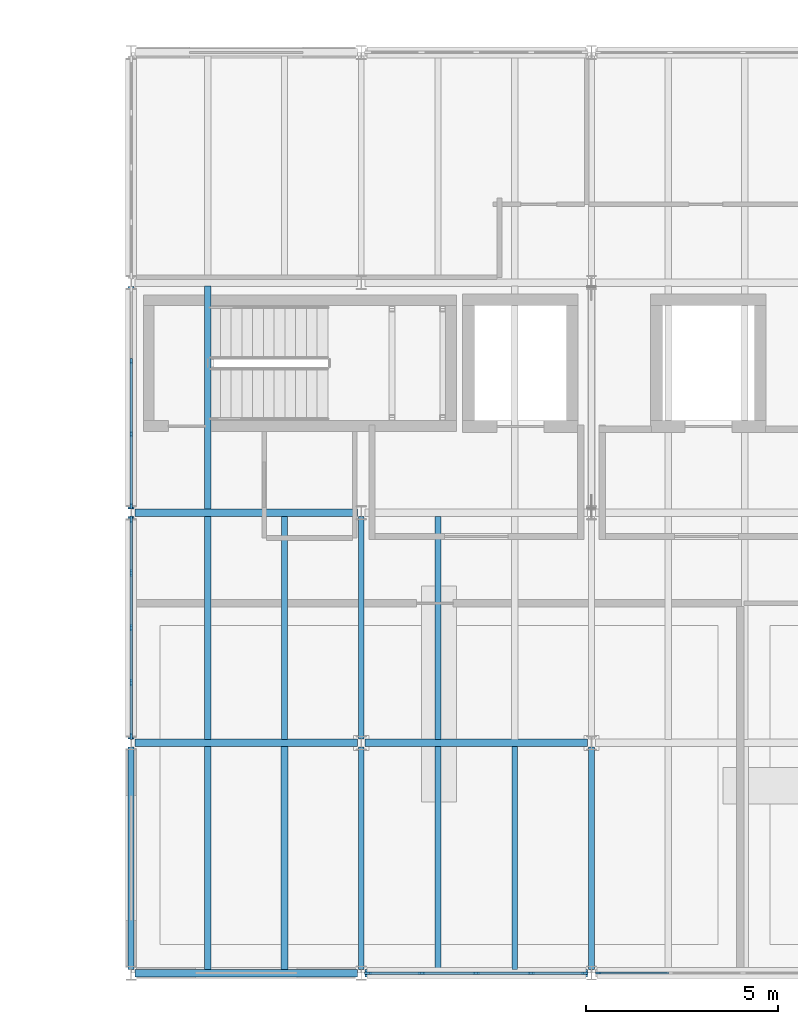
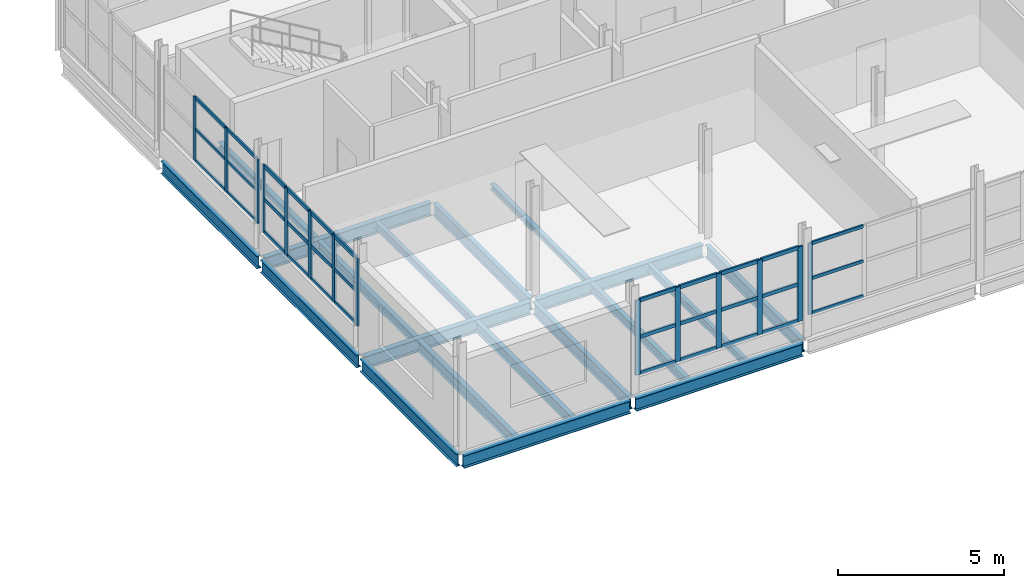
# One storey, part 6 of 23: 47 members, 19 beams, 4 elements without a shape of their own.
"""IFC4 building model written with IfcOpenShell, lengths in metres."""

from ifc_helpers import new_model, si_unit, direction, frame, origin, origin_2d, place, context, subcontext, project, spatial, rectangle, i_section, extrude, material, material_profile, profile_set, type_object, element, aggregate, save


model = new_model("IFC4")

# Units and contexts
model_context = context("Model", 3, precision=1e-05, world=origin(), true_north=direction((0.0, 1.0)))
body_context = subcontext(model_context, "Body", "Model", "MODEL_VIEW")
ifc_project = project(units=[si_unit("LENGTHUNIT", "METRE"), si_unit("AREAUNIT", "SQUARE_METRE"), si_unit("VOLUMEUNIT", "CUBIC_METRE"), si_unit("PLANEANGLEUNIT", "RADIAN"), si_unit("MASSUNIT", "GRAM", prefix="KILO")], contexts=[model_context])

# Site, building, storey
site_placement = place(None, origin())
site = spatial("IfcSite", under=ifc_project, at=site_placement, CompositionType="ELEMENT")
building_placement = place(site_placement, origin())
building = spatial("IfcBuilding", under=site, at=building_placement, Name="Siltcreek Boulevard Central Fire Station", CompositionType="ELEMENT")
storey_placement = place(building_placement, frame((0.0, 0.0, 14.0)))
storey = spatial("IfcBuildingStorey", under=building, at=storey_placement, Name="L04", CompositionType="ELEMENT", Elevation=14.0)

# Beams
ifc_material_1 = material(Name="Structural steel ASTM A992 Gr50", Category="steel")
ifc_material_profile_1 = material_profile(ifc_material_1, i_section(OverallWidth=0.154052734375, OverallDepth=0.458984375, WebThickness=0.009033203125, FlangeThickness=0.015380859375, at=origin_2d()), Name="W460X68")
ifc_profile_set_1 = profile_set([ifc_material_profile_1], Name="Structural steel ASTM A992 Gr50")
beam_type_1 = type_object("IfcBeamType", Name="BM_W460X68", PredefinedType="BEAM", material=ifc_profile_set_1)
for number, where, z_axis, x_axis, name in (
    (1, (124.199951171875, 88.300048828125, -0.489501953125), (0.0, 1.0, 0.0), (-1.0, 0.0, 0.0), "L04 primary steel girder GY-0568"),
    (2, (124.199951171875, 94.300048828125, -0.489501953125), (0.0, 1.0, 0.0), (-1.0, 0.0, 0.0), "L04 primary steel girder GY-0569"),
    (3, (124.199951171875, 100.300048828125, -0.489501953125), (0.0, 1.0, 0.0), (-1.0, 0.0, 0.0), "L04 primary steel girder GY-0570"),
    (4, (130.199951171875, 88.300048828125, -0.489501953125), (0.0, 1.0, 0.0), (-1.0, 0.0, 0.0), "L04 primary steel girder GY-0572"),
    (5, (130.199951171875, 94.300048828125, -0.489501953125), (0.0, 1.0, 0.0), (-1.0, 0.0, 0.0), "L04 primary steel girder GY-0573"),
    (6, (136.199951171875, 88.300048828125, -0.489501953125), (0.0, 1.0, 0.0), (-1.0, 0.0, 0.0), "L04 primary steel girder GY-0575"),
):
    element("IfcBeam", number, at=place(storey_placement, frame(where, z_axis=z_axis, x_axis=x_axis)), inside=storey, type_object=beam_type_1, Name=name, PredefinedType="BEAM", context=body_context, shape_type="SweptSolid", body=[
        extrude(i_section(OverallWidth=0.154052734375, OverallDepth=0.458984375, WebThickness=0.009033203125, FlangeThickness=0.015380859375, at=origin_2d()), origin(), (0.0, 0.0, 1.0), 5.800048828125),
    ])
ifc_material_profile_2 = material_profile(ifc_material_1, i_section(OverallWidth=0.19189453125, OverallDepth=0.462890625, WebThickness=0.010498046875, FlangeThickness=0.017578125, at=origin_2d()), Name="W460X89")
ifc_profile_set_2 = profile_set([ifc_material_profile_2], Name="Structural steel ASTM A992 Gr50")
beam_type_2 = type_object("IfcBeamType", Name="BM_W460X89", PredefinedType="BEAM", material=ifc_profile_set_2)
for number, where, z_axis, x_axis, name in (
    (7, (124.300048828125, 88.199951171875, -0.491455078125), (1.0, 0.0, 0.0), (0.0, 1.0, 0.0), "L04 primary steel girder GX-0538"),
    (8, (130.300048828125, 88.199951171875, -0.491455078125), (1.0, 0.0, 0.0), (0.0, 1.0, 0.0), "L04 primary steel girder GX-0539"),
    (9, (124.300048828125, 94.199951171875, -0.491455078125), (1.0, 0.0, 0.0), (0.0, 1.0, 0.0), "L04 primary steel girder GX-0544"),
    (10, (130.300048828125, 94.199951171875, -0.491455078125), (1.0, 0.0, 0.0), (0.0, 1.0, 0.0), "L04 primary steel girder GX-0545"),
    (11, (124.300048828125, 100.199951171875, -0.491455078125), (1.0, 0.0, 0.0), (0.0, 1.0, 0.0), "L04 primary steel girder GX-0550"),
):
    element("IfcBeam", number, at=place(storey_placement, frame(where, z_axis=z_axis, x_axis=x_axis)), inside=storey, type_object=beam_type_2, Name=name, PredefinedType="BEAM", context=body_context, shape_type="SweptSolid", body=[
        extrude(i_section(OverallWidth=0.19189453125, OverallDepth=0.462890625, WebThickness=0.010498046875, FlangeThickness=0.017578125, at=origin_2d()), origin(), (0.0, 0.0, 1.0), 5.800048828125),
    ])

# Curtain wall, member
ifc_material_2 = material(Name="Anodized aluminum and low-E insulated glazing", Category="aluminium")
curtain_wall_type_1 = type_object("IfcCurtainWallType", Name="CW_SYS_16", PredefinedType="USERDEFINED", material=ifc_material_2)
curtain_wall_1_placement = place(storey_placement, origin())
curtain_wall_1 = element("IfcCurtainWall", 12, at=curtain_wall_1_placement, inside=storey, type_object=curtain_wall_type_1, Name="L04 V5 unitised curtain wall CW-165", ObjectType="CURTAIN WALL", PredefinedType="USERDEFINED")
ifc_material_3 = material(Name="Anodized 6063-T6 aluminum framing", Category="aluminium")
ifc_material_profile_3 = material_profile(ifc_material_3, rectangle(XDim=0.06005859375, YDim=0.14990234375, at=origin_2d()), Name="MULL60X150")
ifc_profile_set_3 = profile_set([ifc_material_profile_3], Name="Anodized 6063-T6 aluminum framing")
member_type_1 = type_object("IfcMemberType", Name="CWM_60X150", PredefinedType="MULLION", material=ifc_profile_set_3)
member_1_placement = place(storey_placement, frame((136.375, 88.199951171875, 0.679931640625), z_axis=(0.0, 0.0, 1.0), x_axis=(0.0, 1.0, 0.0)))
member_1 = element("IfcMember", 13, at=member_1_placement, type_object=member_type_1, Name="CW-165 mullion 1", PredefinedType="MULLION", context=body_context, shape_type="SweptSolid", body=[
    extrude(rectangle(XDim=0.06005859375, YDim=0.14990234375, at=origin_2d()), origin(), (0.0, 0.0, 1.0), 2.619140625),
])

# Curtain wall, members
curtain_wall_type_2 = type_object("IfcCurtainWallType", Name="CW_SYS_24", PredefinedType="USERDEFINED", material=ifc_material_2)
curtain_wall_2_placement = place(storey_placement, origin())
curtain_wall_2 = element("IfcCurtainWall", 14, at=curtain_wall_2_placement, inside=storey, type_object=curtain_wall_type_2, Name="L04 V5 unitised curtain wall CW-173", ObjectType="CURTAIN WALL", PredefinedType="USERDEFINED")
member_2_placement = place(storey_placement, frame((124.199951171875, 104.151611328125, 0.919921875), z_axis=(0.0, 0.0, 1.0), x_axis=(1.0, 0.0, 0.0)))
member_2 = element("IfcMember", 15, at=member_2_placement, type_object=member_type_1, Name="CW-173 mullion 2", PredefinedType="MULLION", context=body_context, shape_type="SweptSolid", body=[
    extrude(rectangle(XDim=0.06005859375, YDim=0.14990234375, at=origin_2d()), origin(), (0.0, 0.0, 1.0), 2.35302734375),
])
member_3_placement = place(storey_placement, frame((124.199951171875, 102.248291015625, 0.919921875), z_axis=(0.0, 0.0, 1.0), x_axis=(1.0, 0.0, 0.0)))
member_3 = element("IfcMember", 16, at=member_3_placement, type_object=member_type_1, Name="CW-173 mullion 3", PredefinedType="MULLION", context=body_context, shape_type="SweptSolid", body=[
    extrude(rectangle(XDim=0.06005859375, YDim=0.14990234375, at=origin_2d()), origin(), (0.0, 0.0, 1.0), 2.35302734375),
])
member_4_placement = place(storey_placement, frame((124.199951171875, 100.375, 0.919921875), z_axis=(0.0, 0.0, 1.0), x_axis=(1.0, 0.0, 0.0)))
member_4 = element("IfcMember", 17, at=member_4_placement, type_object=member_type_1, Name="CW-173 mullion 4", PredefinedType="MULLION", context=body_context, shape_type="SweptSolid", body=[
    extrude(rectangle(XDim=0.06005859375, YDim=0.14990234375, at=origin_2d()), origin(), (0.0, 0.0, 1.0), 2.35302734375),
])

curtain_wall_type_3 = type_object("IfcCurtainWallType", Name="CW_SYS_15", PredefinedType="USERDEFINED", material=ifc_material_2)
curtain_wall_3_placement = place(storey_placement, origin())
curtain_wall_3 = element("IfcCurtainWall", 18, at=curtain_wall_3_placement, inside=storey, type_object=curtain_wall_type_3, Name="L04 V5 unitised curtain wall CW-164", ObjectType="CURTAIN WALL", PredefinedType="USERDEFINED")
ifc_material_profile_4 = material_profile(ifc_material_3, rectangle(XDim=0.06494140625, YDim=0.175048828125, at=origin_2d()), Name="MULL65X175")
ifc_profile_set_4 = profile_set([ifc_material_profile_4], Name="Anodized 6063-T6 aluminum framing")
member_type_2 = type_object("IfcMemberType", Name="CWM_65X175", PredefinedType="MULLION", material=ifc_profile_set_4)
member_5_placement = place(storey_placement, frame((130.37744140625, 88.199951171875, 0.56005859375), z_axis=(0.0, 0.0, 1.0), x_axis=(0.0, 1.0, 0.0)))
member_5 = element("IfcMember", 19, at=member_5_placement, type_object=member_type_2, Name="CW-164 mullion 1", PredefinedType="MULLION", context=body_context, shape_type="SweptSolid", body=[
    extrude(rectangle(XDim=0.06494140625, YDim=0.175048828125, at=origin_2d()), origin(), (0.0, 0.0, 1.0), 2.739013671875),
])
member_6_placement = place(storey_placement, frame((131.7724609375, 88.199951171875, 0.56005859375), z_axis=(0.0, 0.0, 1.0), x_axis=(0.0, 1.0, 0.0)))
member_6 = element("IfcMember", 20, at=member_6_placement, type_object=member_type_2, Name="CW-164 mullion 2", PredefinedType="MULLION", context=body_context, shape_type="SweptSolid", body=[
    extrude(rectangle(XDim=0.06494140625, YDim=0.175048828125, at=origin_2d()), origin(), (0.0, 0.0, 1.0), 2.739013671875),
])
member_7_placement = place(storey_placement, frame((133.199951171875, 88.199951171875, 0.56005859375), z_axis=(0.0, 0.0, 1.0), x_axis=(0.0, 1.0, 0.0)))
member_7 = element("IfcMember", 21, at=member_7_placement, type_object=member_type_2, Name="CW-164 mullion 3", PredefinedType="MULLION", context=body_context, shape_type="SweptSolid", body=[
    extrude(rectangle(XDim=0.06494140625, YDim=0.175048828125, at=origin_2d()), origin(), (0.0, 0.0, 1.0), 2.739013671875),
])
member_8_placement = place(storey_placement, frame((134.62744140625, 88.199951171875, 0.56005859375), z_axis=(0.0, 0.0, 1.0), x_axis=(0.0, 1.0, 0.0)))
member_8 = element("IfcMember", 22, at=member_8_placement, type_object=member_type_2, Name="CW-164 mullion 4", PredefinedType="MULLION", context=body_context, shape_type="SweptSolid", body=[
    extrude(rectangle(XDim=0.06494140625, YDim=0.175048828125, at=origin_2d()), origin(), (0.0, 0.0, 1.0), 2.739013671875),
])
member_9_placement = place(storey_placement, frame((136.0224609375, 88.199951171875, 0.56005859375), z_axis=(0.0, 0.0, 1.0), x_axis=(0.0, 1.0, 0.0)))
member_9 = element("IfcMember", 23, at=member_9_placement, type_object=member_type_2, Name="CW-164 mullion 5", PredefinedType="MULLION", context=body_context, shape_type="SweptSolid", body=[
    extrude(rectangle(XDim=0.06494140625, YDim=0.175048828125, at=origin_2d()), origin(), (0.0, 0.0, 1.0), 2.739013671875),
])

curtain_wall_type_4 = type_object("IfcCurtainWallType", Name="CW_SYS_23", PredefinedType="USERDEFINED", material=ifc_material_2)
curtain_wall_4_placement = place(storey_placement, origin())
curtain_wall_4 = element("IfcCurtainWall", 24, at=curtain_wall_4_placement, inside=storey, type_object=curtain_wall_type_4, Name="L04 V5 unitised curtain wall CW-172", ObjectType="CURTAIN WALL", PredefinedType="USERDEFINED")
member_10_placement = place(storey_placement, frame((124.199951171875, 100.0224609375, 0.800048828125), z_axis=(0.0, 0.0, 1.0), x_axis=(1.0, 0.0, 0.0)))
member_10 = element("IfcMember", 25, at=member_10_placement, type_object=member_type_2, Name="CW-172 mullion 1", PredefinedType="MULLION", context=body_context, shape_type="SweptSolid", body=[
    extrude(rectangle(XDim=0.06494140625, YDim=0.175048828125, at=origin_2d()), origin(), (0.0, 0.0, 1.0), 2.472900390625),
])
member_11_placement = place(storey_placement, frame((124.199951171875, 98.62744140625, 0.800048828125), z_axis=(0.0, 0.0, 1.0), x_axis=(1.0, 0.0, 0.0)))
member_11 = element("IfcMember", 26, at=member_11_placement, type_object=member_type_2, Name="CW-172 mullion 2", PredefinedType="MULLION", context=body_context, shape_type="SweptSolid", body=[
    extrude(rectangle(XDim=0.06494140625, YDim=0.175048828125, at=origin_2d()), origin(), (0.0, 0.0, 1.0), 2.472900390625),
])
member_12_placement = place(storey_placement, frame((124.199951171875, 97.199951171875, 0.800048828125), z_axis=(0.0, 0.0, 1.0), x_axis=(1.0, 0.0, 0.0)))
member_12 = element("IfcMember", 27, at=member_12_placement, type_object=member_type_2, Name="CW-172 mullion 3", PredefinedType="MULLION", context=body_context, shape_type="SweptSolid", body=[
    extrude(rectangle(XDim=0.06494140625, YDim=0.175048828125, at=origin_2d()), origin(), (0.0, 0.0, 1.0), 2.472900390625),
])
member_13_placement = place(storey_placement, frame((124.199951171875, 95.7724609375, 0.800048828125), z_axis=(0.0, 0.0, 1.0), x_axis=(1.0, 0.0, 0.0)))
member_13 = element("IfcMember", 28, at=member_13_placement, type_object=member_type_2, Name="CW-172 mullion 4", PredefinedType="MULLION", context=body_context, shape_type="SweptSolid", body=[
    extrude(rectangle(XDim=0.06494140625, YDim=0.175048828125, at=origin_2d()), origin(), (0.0, 0.0, 1.0), 2.472900390625),
])
member_14_placement = place(storey_placement, frame((124.199951171875, 94.37744140625, 0.800048828125), z_axis=(0.0, 0.0, 1.0), x_axis=(1.0, 0.0, 0.0)))
member_14 = element("IfcMember", 29, at=member_14_placement, type_object=member_type_2, Name="CW-172 mullion 5", PredefinedType="MULLION", context=body_context, shape_type="SweptSolid", body=[
    extrude(rectangle(XDim=0.06494140625, YDim=0.175048828125, at=origin_2d()), origin(), (0.0, 0.0, 1.0), 2.472900390625),
])

# Member
ifc_material_profile_5 = material_profile(ifc_material_3, rectangle(XDim=0.06005859375, YDim=0.114990234375, at=origin_2d()), Name="TRAN60X115")
ifc_profile_set_5 = profile_set([ifc_material_profile_5], Name="Anodized 6063-T6 aluminum framing")
member_type_3 = type_object("IfcMemberType", Name="CWT_60X115", PredefinedType="USERDEFINED", material=ifc_profile_set_5)
member_15_placement = place(storey_placement, frame((136.405029296875, 88.199951171875, 0.7099609375), z_axis=(1.0, 0.0, 0.0), x_axis=(0.0, 1.0, 0.0)))
member_15 = element("IfcMember", 30, at=member_15_placement, type_object=member_type_3, Name="CW-165 transom 1.1", ObjectType="TRANSOM", PredefinedType="USERDEFINED", context=body_context, shape_type="SweptSolid", body=[
    extrude(rectangle(XDim=0.06005859375, YDim=0.114990234375, at=origin_2d()), origin(), (0.0, 0.0, 1.0), 1.813232421875),
])

member_16_placement = place(storey_placement, frame((136.405029296875, 88.199951171875, 1.989501953125), z_axis=(1.0, 0.0, 0.0), x_axis=(0.0, 1.0, 0.0)))
member_16 = element("IfcMember", 31, at=member_16_placement, type_object=member_type_3, Name="CW-165 transom 1.2", ObjectType="TRANSOM", PredefinedType="USERDEFINED", context=body_context, shape_type="SweptSolid", body=[
    extrude(rectangle(XDim=0.06005859375, YDim=0.114990234375, at=origin_2d()), origin(), (0.0, 0.0, 1.0), 1.813232421875),
])

member_17_placement = place(storey_placement, frame((136.405029296875, 88.199951171875, 3.26904296875), z_axis=(1.0, 0.0, 0.0), x_axis=(0.0, 1.0, 0.0)))
member_17 = element("IfcMember", 32, at=member_17_placement, type_object=member_type_3, Name="CW-165 transom 1.3", ObjectType="TRANSOM", PredefinedType="USERDEFINED", context=body_context, shape_type="SweptSolid", body=[
    extrude(rectangle(XDim=0.06005859375, YDim=0.114990234375, at=origin_2d()), origin(), (0.0, 0.0, 1.0), 1.813232421875),
])

aggregate(curtain_wall_1, [member_1, member_15, member_16, member_17])

member_18_placement = place(storey_placement, frame((124.199951171875, 104.12158203125, 0.949951171875), z_axis=(0.0, -1.0, 0.0), x_axis=(1.0, 0.0, 0.0)))
member_18 = element("IfcMember", 33, at=member_18_placement, type_object=member_type_3, Name="CW-173 transom 2.1", ObjectType="TRANSOM", PredefinedType="USERDEFINED", context=body_context, shape_type="SweptSolid", body=[
    extrude(rectangle(XDim=0.06005859375, YDim=0.114990234375, at=origin_2d()), origin(), (0.0, 0.0, 1.0), 1.84326171875),
])

member_19_placement = place(storey_placement, frame((124.199951171875, 104.12158203125, 2.096435546875), z_axis=(0.0, -1.0, 0.0), x_axis=(1.0, 0.0, 0.0)))
member_19 = element("IfcMember", 34, at=member_19_placement, type_object=member_type_3, Name="CW-173 transom 2.2", ObjectType="TRANSOM", PredefinedType="USERDEFINED", context=body_context, shape_type="SweptSolid", body=[
    extrude(rectangle(XDim=0.06005859375, YDim=0.114990234375, at=origin_2d()), origin(), (0.0, 0.0, 1.0), 1.84326171875),
])

member_20_placement = place(storey_placement, frame((124.199951171875, 104.12158203125, 3.242919921875), z_axis=(0.0, -1.0, 0.0), x_axis=(1.0, 0.0, 0.0)))
member_20 = element("IfcMember", 35, at=member_20_placement, type_object=member_type_3, Name="CW-173 transom 2.3", ObjectType="TRANSOM", PredefinedType="USERDEFINED", context=body_context, shape_type="SweptSolid", body=[
    extrude(rectangle(XDim=0.06005859375, YDim=0.114990234375, at=origin_2d()), origin(), (0.0, 0.0, 1.0), 1.84326171875),
])

member_21_placement = place(storey_placement, frame((124.199951171875, 102.21826171875, 0.949951171875), z_axis=(0.0, -1.0, 0.0), x_axis=(1.0, 0.0, 0.0)))
member_21 = element("IfcMember", 36, at=member_21_placement, type_object=member_type_3, Name="CW-173 transom 3.1", ObjectType="TRANSOM", PredefinedType="USERDEFINED", context=body_context, shape_type="SweptSolid", body=[
    extrude(rectangle(XDim=0.06005859375, YDim=0.114990234375, at=origin_2d()), origin(), (0.0, 0.0, 1.0), 1.813232421875),
])

member_22_placement = place(storey_placement, frame((124.199951171875, 102.21826171875, 2.096435546875), z_axis=(0.0, -1.0, 0.0), x_axis=(1.0, 0.0, 0.0)))
member_22 = element("IfcMember", 37, at=member_22_placement, type_object=member_type_3, Name="CW-173 transom 3.2", ObjectType="TRANSOM", PredefinedType="USERDEFINED", context=body_context, shape_type="SweptSolid", body=[
    extrude(rectangle(XDim=0.06005859375, YDim=0.114990234375, at=origin_2d()), origin(), (0.0, 0.0, 1.0), 1.813232421875),
])

member_23_placement = place(storey_placement, frame((124.199951171875, 102.21826171875, 3.242919921875), z_axis=(0.0, -1.0, 0.0), x_axis=(1.0, 0.0, 0.0)))
member_23 = element("IfcMember", 38, at=member_23_placement, type_object=member_type_3, Name="CW-173 transom 3.3", ObjectType="TRANSOM", PredefinedType="USERDEFINED", context=body_context, shape_type="SweptSolid", body=[
    extrude(rectangle(XDim=0.06005859375, YDim=0.114990234375, at=origin_2d()), origin(), (0.0, 0.0, 1.0), 1.813232421875),
])

aggregate(curtain_wall_2, [member_2, member_3, member_4, member_18, member_19, member_20, member_21, member_22, member_23])

ifc_material_profile_6 = material_profile(ifc_material_3, rectangle(XDim=0.06494140625, YDim=0.135009765625, at=origin_2d()), Name="TRAN65X135")
ifc_profile_set_6 = profile_set([ifc_material_profile_6], Name="Anodized 6063-T6 aluminum framing")
member_type_4 = type_object("IfcMemberType", Name="CWT_65X135", PredefinedType="USERDEFINED", material=ifc_profile_set_6)
member_24_placement = place(storey_placement, frame((130.409912109375, 88.199951171875, 0.592529296875), z_axis=(1.0, 0.0, 0.0), x_axis=(0.0, 1.0, 0.0)))
member_24 = element("IfcMember", 39, at=member_24_placement, type_object=member_type_4, Name="CW-164 transom 1.1", ObjectType="TRANSOM", PredefinedType="USERDEFINED", context=body_context, shape_type="SweptSolid", body=[
    extrude(rectangle(XDim=0.06494140625, YDim=0.135009765625, at=origin_2d()), origin(), (0.0, 0.0, 1.0), 1.330078125),
])

member_25_placement = place(storey_placement, frame((130.409912109375, 88.199951171875, 1.929443359375), z_axis=(1.0, 0.0, 0.0), x_axis=(0.0, 1.0, 0.0)))
member_25 = element("IfcMember", 40, at=member_25_placement, type_object=member_type_4, Name="CW-164 transom 1.2", ObjectType="TRANSOM", PredefinedType="USERDEFINED", context=body_context, shape_type="SweptSolid", body=[
    extrude(rectangle(XDim=0.06494140625, YDim=0.135009765625, at=origin_2d()), origin(), (0.0, 0.0, 1.0), 1.330078125),
])

member_26_placement = place(storey_placement, frame((130.409912109375, 88.199951171875, 3.2666015625), z_axis=(1.0, 0.0, 0.0), x_axis=(0.0, 1.0, 0.0)))
member_26 = element("IfcMember", 41, at=member_26_placement, type_object=member_type_4, Name="CW-164 transom 1.3", ObjectType="TRANSOM", PredefinedType="USERDEFINED", context=body_context, shape_type="SweptSolid", body=[
    extrude(rectangle(XDim=0.06494140625, YDim=0.135009765625, at=origin_2d()), origin(), (0.0, 0.0, 1.0), 1.330078125),
])

member_27_placement = place(storey_placement, frame((131.804931640625, 88.199951171875, 0.592529296875), z_axis=(1.0, 0.0, 0.0), x_axis=(0.0, 1.0, 0.0)))
member_27 = element("IfcMember", 42, at=member_27_placement, type_object=member_type_4, Name="CW-164 transom 2.1", ObjectType="TRANSOM", PredefinedType="USERDEFINED", context=body_context, shape_type="SweptSolid", body=[
    extrude(rectangle(XDim=0.06494140625, YDim=0.135009765625, at=origin_2d()), origin(), (0.0, 0.0, 1.0), 1.362548828125),
])

member_28_placement = place(storey_placement, frame((131.804931640625, 88.199951171875, 1.929443359375), z_axis=(1.0, 0.0, 0.0), x_axis=(0.0, 1.0, 0.0)))
member_28 = element("IfcMember", 43, at=member_28_placement, type_object=member_type_4, Name="CW-164 transom 2.2", ObjectType="TRANSOM", PredefinedType="USERDEFINED", context=body_context, shape_type="SweptSolid", body=[
    extrude(rectangle(XDim=0.06494140625, YDim=0.135009765625, at=origin_2d()), origin(), (0.0, 0.0, 1.0), 1.362548828125),
])

member_29_placement = place(storey_placement, frame((131.804931640625, 88.199951171875, 3.2666015625), z_axis=(1.0, 0.0, 0.0), x_axis=(0.0, 1.0, 0.0)))
member_29 = element("IfcMember", 44, at=member_29_placement, type_object=member_type_4, Name="CW-164 transom 2.3", ObjectType="TRANSOM", PredefinedType="USERDEFINED", context=body_context, shape_type="SweptSolid", body=[
    extrude(rectangle(XDim=0.06494140625, YDim=0.135009765625, at=origin_2d()), origin(), (0.0, 0.0, 1.0), 1.362548828125),
])

member_30_placement = place(storey_placement, frame((133.232421875, 88.199951171875, 0.592529296875), z_axis=(1.0, 0.0, 0.0), x_axis=(0.0, 1.0, 0.0)))
member_30 = element("IfcMember", 45, at=member_30_placement, type_object=member_type_4, Name="CW-164 transom 3.1", ObjectType="TRANSOM", PredefinedType="USERDEFINED", context=body_context, shape_type="SweptSolid", body=[
    extrude(rectangle(XDim=0.06494140625, YDim=0.135009765625, at=origin_2d()), origin(), (0.0, 0.0, 1.0), 1.362548828125),
])

member_31_placement = place(storey_placement, frame((133.232421875, 88.199951171875, 1.929443359375), z_axis=(1.0, 0.0, 0.0), x_axis=(0.0, 1.0, 0.0)))
member_31 = element("IfcMember", 46, at=member_31_placement, type_object=member_type_4, Name="CW-164 transom 3.2", ObjectType="TRANSOM", PredefinedType="USERDEFINED", context=body_context, shape_type="SweptSolid", body=[
    extrude(rectangle(XDim=0.06494140625, YDim=0.135009765625, at=origin_2d()), origin(), (0.0, 0.0, 1.0), 1.362548828125),
])

member_32_placement = place(storey_placement, frame((133.232421875, 88.199951171875, 3.2666015625), z_axis=(1.0, 0.0, 0.0), x_axis=(0.0, 1.0, 0.0)))
member_32 = element("IfcMember", 47, at=member_32_placement, type_object=member_type_4, Name="CW-164 transom 3.3", ObjectType="TRANSOM", PredefinedType="USERDEFINED", context=body_context, shape_type="SweptSolid", body=[
    extrude(rectangle(XDim=0.06494140625, YDim=0.135009765625, at=origin_2d()), origin(), (0.0, 0.0, 1.0), 1.362548828125),
])

member_33_placement = place(storey_placement, frame((134.659912109375, 88.199951171875, 0.592529296875), z_axis=(1.0, 0.0, 0.0), x_axis=(0.0, 1.0, 0.0)))
member_33 = element("IfcMember", 48, at=member_33_placement, type_object=member_type_4, Name="CW-164 transom 4.1", ObjectType="TRANSOM", PredefinedType="USERDEFINED", context=body_context, shape_type="SweptSolid", body=[
    extrude(rectangle(XDim=0.06494140625, YDim=0.135009765625, at=origin_2d()), origin(), (0.0, 0.0, 1.0), 1.330078125),
])

member_34_placement = place(storey_placement, frame((134.659912109375, 88.199951171875, 1.929443359375), z_axis=(1.0, 0.0, 0.0), x_axis=(0.0, 1.0, 0.0)))
member_34 = element("IfcMember", 49, at=member_34_placement, type_object=member_type_4, Name="CW-164 transom 4.2", ObjectType="TRANSOM", PredefinedType="USERDEFINED", context=body_context, shape_type="SweptSolid", body=[
    extrude(rectangle(XDim=0.06494140625, YDim=0.135009765625, at=origin_2d()), origin(), (0.0, 0.0, 1.0), 1.330078125),
])

member_35_placement = place(storey_placement, frame((134.659912109375, 88.199951171875, 3.2666015625), z_axis=(1.0, 0.0, 0.0), x_axis=(0.0, 1.0, 0.0)))
member_35 = element("IfcMember", 50, at=member_35_placement, type_object=member_type_4, Name="CW-164 transom 4.3", ObjectType="TRANSOM", PredefinedType="USERDEFINED", context=body_context, shape_type="SweptSolid", body=[
    extrude(rectangle(XDim=0.06494140625, YDim=0.135009765625, at=origin_2d()), origin(), (0.0, 0.0, 1.0), 1.330078125),
])

aggregate(curtain_wall_3, [member_5, member_6, member_7, member_8, member_9, member_24, member_25, member_26, member_27, member_28, member_29, member_30, member_31, member_32, member_33, member_34, member_35])

member_36_placement = place(storey_placement, frame((124.199951171875, 99.989990234375, 0.83251953125), z_axis=(0.0, -1.0, 0.0), x_axis=(1.0, 0.0, 0.0)))
member_36 = element("IfcMember", 51, at=member_36_placement, type_object=member_type_4, Name="CW-172 transom 1.1", ObjectType="TRANSOM", PredefinedType="USERDEFINED", context=body_context, shape_type="SweptSolid", body=[
    extrude(rectangle(XDim=0.06494140625, YDim=0.135009765625, at=origin_2d()), origin(), (0.0, 0.0, 1.0), 1.330078125),
])

member_37_placement = place(storey_placement, frame((124.199951171875, 99.989990234375, 2.03662109375), z_axis=(0.0, -1.0, 0.0), x_axis=(1.0, 0.0, 0.0)))
member_37 = element("IfcMember", 52, at=member_37_placement, type_object=member_type_4, Name="CW-172 transom 1.2", ObjectType="TRANSOM", PredefinedType="USERDEFINED", context=body_context, shape_type="SweptSolid", body=[
    extrude(rectangle(XDim=0.06494140625, YDim=0.135009765625, at=origin_2d()), origin(), (0.0, 0.0, 1.0), 1.330078125),
])

member_38_placement = place(storey_placement, frame((124.199951171875, 99.989990234375, 3.240478515625), z_axis=(0.0, -1.0, 0.0), x_axis=(1.0, 0.0, 0.0)))
member_38 = element("IfcMember", 53, at=member_38_placement, type_object=member_type_4, Name="CW-172 transom 1.3", ObjectType="TRANSOM", PredefinedType="USERDEFINED", context=body_context, shape_type="SweptSolid", body=[
    extrude(rectangle(XDim=0.06494140625, YDim=0.135009765625, at=origin_2d()), origin(), (0.0, 0.0, 1.0), 1.330078125),
])

member_39_placement = place(storey_placement, frame((124.199951171875, 98.594970703125, 0.83251953125), z_axis=(0.0, -1.0, 0.0), x_axis=(1.0, 0.0, 0.0)))
member_39 = element("IfcMember", 54, at=member_39_placement, type_object=member_type_4, Name="CW-172 transom 2.1", ObjectType="TRANSOM", PredefinedType="USERDEFINED", context=body_context, shape_type="SweptSolid", body=[
    extrude(rectangle(XDim=0.06494140625, YDim=0.135009765625, at=origin_2d()), origin(), (0.0, 0.0, 1.0), 1.362548828125),
])

member_40_placement = place(storey_placement, frame((124.199951171875, 98.594970703125, 2.03662109375), z_axis=(0.0, -1.0, 0.0), x_axis=(1.0, 0.0, 0.0)))
member_40 = element("IfcMember", 55, at=member_40_placement, type_object=member_type_4, Name="CW-172 transom 2.2", ObjectType="TRANSOM", PredefinedType="USERDEFINED", context=body_context, shape_type="SweptSolid", body=[
    extrude(rectangle(XDim=0.06494140625, YDim=0.135009765625, at=origin_2d()), origin(), (0.0, 0.0, 1.0), 1.362548828125),
])

member_41_placement = place(storey_placement, frame((124.199951171875, 98.594970703125, 3.240478515625), z_axis=(0.0, -1.0, 0.0), x_axis=(1.0, 0.0, 0.0)))
member_41 = element("IfcMember", 56, at=member_41_placement, type_object=member_type_4, Name="CW-172 transom 2.3", ObjectType="TRANSOM", PredefinedType="USERDEFINED", context=body_context, shape_type="SweptSolid", body=[
    extrude(rectangle(XDim=0.06494140625, YDim=0.135009765625, at=origin_2d()), origin(), (0.0, 0.0, 1.0), 1.362548828125),
])

member_42_placement = place(storey_placement, frame((124.199951171875, 97.16748046875, 0.83251953125), z_axis=(0.0, -1.0, 0.0), x_axis=(1.0, 0.0, 0.0)))
member_42 = element("IfcMember", 57, at=member_42_placement, type_object=member_type_4, Name="CW-172 transom 3.1", ObjectType="TRANSOM", PredefinedType="USERDEFINED", context=body_context, shape_type="SweptSolid", body=[
    extrude(rectangle(XDim=0.06494140625, YDim=0.135009765625, at=origin_2d()), origin(), (0.0, 0.0, 1.0), 1.362548828125),
])

member_43_placement = place(storey_placement, frame((124.199951171875, 97.16748046875, 2.03662109375), z_axis=(0.0, -1.0, 0.0), x_axis=(1.0, 0.0, 0.0)))
member_43 = element("IfcMember", 58, at=member_43_placement, type_object=member_type_4, Name="CW-172 transom 3.2", ObjectType="TRANSOM", PredefinedType="USERDEFINED", context=body_context, shape_type="SweptSolid", body=[
    extrude(rectangle(XDim=0.06494140625, YDim=0.135009765625, at=origin_2d()), origin(), (0.0, 0.0, 1.0), 1.362548828125),
])

member_44_placement = place(storey_placement, frame((124.199951171875, 97.16748046875, 3.240478515625), z_axis=(0.0, -1.0, 0.0), x_axis=(1.0, 0.0, 0.0)))
member_44 = element("IfcMember", 59, at=member_44_placement, type_object=member_type_4, Name="CW-172 transom 3.3", ObjectType="TRANSOM", PredefinedType="USERDEFINED", context=body_context, shape_type="SweptSolid", body=[
    extrude(rectangle(XDim=0.06494140625, YDim=0.135009765625, at=origin_2d()), origin(), (0.0, 0.0, 1.0), 1.362548828125),
])

member_45_placement = place(storey_placement, frame((124.199951171875, 95.739990234375, 0.83251953125), z_axis=(0.0, -1.0, 0.0), x_axis=(1.0, 0.0, 0.0)))
member_45 = element("IfcMember", 60, at=member_45_placement, type_object=member_type_4, Name="CW-172 transom 4.1", ObjectType="TRANSOM", PredefinedType="USERDEFINED", context=body_context, shape_type="SweptSolid", body=[
    extrude(rectangle(XDim=0.06494140625, YDim=0.135009765625, at=origin_2d()), origin(), (0.0, 0.0, 1.0), 1.330078125),
])

member_46_placement = place(storey_placement, frame((124.199951171875, 95.739990234375, 2.03662109375), z_axis=(0.0, -1.0, 0.0), x_axis=(1.0, 0.0, 0.0)))
member_46 = element("IfcMember", 61, at=member_46_placement, type_object=member_type_4, Name="CW-172 transom 4.2", ObjectType="TRANSOM", PredefinedType="USERDEFINED", context=body_context, shape_type="SweptSolid", body=[
    extrude(rectangle(XDim=0.06494140625, YDim=0.135009765625, at=origin_2d()), origin(), (0.0, 0.0, 1.0), 1.330078125),
])

member_47_placement = place(storey_placement, frame((124.199951171875, 95.739990234375, 3.240478515625), z_axis=(0.0, -1.0, 0.0), x_axis=(1.0, 0.0, 0.0)))
member_47 = element("IfcMember", 62, at=member_47_placement, type_object=member_type_4, Name="CW-172 transom 4.3", ObjectType="TRANSOM", PredefinedType="USERDEFINED", context=body_context, shape_type="SweptSolid", body=[
    extrude(rectangle(XDim=0.06494140625, YDim=0.135009765625, at=origin_2d()), origin(), (0.0, 0.0, 1.0), 1.330078125),
])

aggregate(curtain_wall_4, [member_10, member_11, member_12, member_13, member_14, member_36, member_37, member_38, member_39, member_40, member_41, member_42, member_43, member_44, member_45, member_46, member_47])

# Beams
ifc_material_profile_7 = material_profile(ifc_material_1, i_section(OverallWidth=0.1650390625, OverallDepth=0.200927734375, WebThickness=0.006103515625, FlangeThickness=0.01025390625, at=origin_2d()), Name="W200X36")
ifc_profile_set_7 = profile_set([ifc_material_profile_7], Name="Structural steel ASTM A992 Gr50")
beam_type_3 = type_object("IfcBeamType", Name="JST_W200X36", PredefinedType="JOIST", material=ifc_profile_set_7)
for number, where, z_axis, x_axis, name in (
    (63, (132.199951171875, 94.2939453125, -0.360595703125), (0.0, 1.0, 0.0), (-1.0, 0.0, 0.0), "L04 secondary steel floor joist 0475"),
    (64, (126.199951171875, 100.2939453125, -0.360595703125), (0.0, 1.0, 0.0), (-1.0, 0.0, 0.0), "L04 secondary steel floor joist 0485"),
):
    element("IfcBeam", number, at=place(storey_placement, frame(where, z_axis=z_axis, x_axis=x_axis)), inside=storey, type_object=beam_type_3, Name=name, PredefinedType="JOIST", context=body_context, shape_type="SweptSolid", body=[
        extrude(i_section(OverallWidth=0.1650390625, OverallDepth=0.200927734375, WebThickness=0.006103515625, FlangeThickness=0.01025390625, at=origin_2d()), origin(), (0.0, 0.0, 1.0), 5.81201171875),
    ])
ifc_material_profile_8 = material_profile(ifc_material_1, i_section(OverallWidth=0.14697265625, OverallDepth=0.261962890625, WebThickness=0.006591796875, FlangeThickness=0.01123046875, at=origin_2d()), Name="W250X39")
ifc_profile_set_8 = profile_set([ifc_material_profile_8], Name="Structural steel ASTM A992 Gr50")
beam_type_4 = type_object("IfcBeamType", Name="JST_W250X39", PredefinedType="JOIST", material=ifc_profile_set_8)
for number, where, z_axis, x_axis, name in (
    (65, (134.199951171875, 88.2939453125, -0.39111328125), (0.0, 1.0, 0.0), (-1.0, 0.0, 0.0), "L04 secondary steel floor joist 0464"),
    (66, (128.199951171875, 94.2939453125, -0.39111328125), (0.0, 1.0, 0.0), (-1.0, 0.0, 0.0), "L04 secondary steel floor joist 0474"),
):
    element("IfcBeam", number, at=place(storey_placement, frame(where, z_axis=z_axis, x_axis=x_axis)), inside=storey, type_object=beam_type_4, Name=name, PredefinedType="JOIST", context=body_context, shape_type="SweptSolid", body=[
        extrude(i_section(OverallWidth=0.14697265625, OverallDepth=0.261962890625, WebThickness=0.006591796875, FlangeThickness=0.01123046875, at=origin_2d()), origin(), (0.0, 0.0, 1.0), 5.81201171875),
    ])
ifc_material_profile_9 = material_profile(ifc_material_1, i_section(OverallWidth=0.166015625, OverallDepth=0.31298828125, WebThickness=0.006591796875, FlangeThickness=0.01123046875, at=origin_2d()), Name="W310X45")
ifc_profile_set_9 = profile_set([ifc_material_profile_9], Name="Structural steel ASTM A992 Gr50")
beam_type_5 = type_object("IfcBeamType", Name="JST_W310X45", PredefinedType="JOIST", material=ifc_profile_set_9)
for number, where, z_axis, x_axis, name in (
    (67, (132.199951171875, 88.2939453125, -0.41650390625), (0.0, 1.0, 0.0), (-1.0, 0.0, 0.0), "L04 secondary steel floor joist 0463"),
    (68, (126.199951171875, 94.2939453125, -0.41650390625), (0.0, 1.0, 0.0), (-1.0, 0.0, 0.0), "L04 secondary steel floor joist 0473"),
):
    element("IfcBeam", number, at=place(storey_placement, frame(where, z_axis=z_axis, x_axis=x_axis)), inside=storey, type_object=beam_type_5, Name=name, PredefinedType="JOIST", context=body_context, shape_type="SweptSolid", body=[
        extrude(i_section(OverallWidth=0.166015625, OverallDepth=0.31298828125, WebThickness=0.006591796875, FlangeThickness=0.01123046875, at=origin_2d()), origin(), (0.0, 0.0, 1.0), 5.81201171875),
    ])
ifc_material_profile_10 = material_profile(ifc_material_1, i_section(OverallWidth=0.172119140625, OverallDepth=0.35791015625, WebThickness=0.0078125, FlangeThickness=0.01318359375, at=origin_2d()), Name="W360X57")
ifc_profile_set_10 = profile_set([ifc_material_profile_10], Name="Structural steel ASTM A992 Gr50")
beam_type_6 = type_object("IfcBeamType", Name="JST_W360X57", PredefinedType="JOIST", material=ifc_profile_set_10)
beam_1_placement = place(storey_placement, frame((128.199951171875, 88.2939453125, -0.43896484375), z_axis=(0.0, 1.0, 0.0), x_axis=(-1.0, 0.0, 0.0)))
element("IfcBeam", 69, at=beam_1_placement, inside=storey, type_object=beam_type_6, Name="L04 secondary steel floor joist 0462", PredefinedType="JOIST", context=body_context, shape_type="SweptSolid", body=[
    extrude(i_section(OverallWidth=0.172119140625, OverallDepth=0.35791015625, WebThickness=0.0078125, FlangeThickness=0.01318359375, at=origin_2d()), origin(), (0.0, 0.0, 1.0), 5.81201171875),
])
ifc_material_profile_11 = material_profile(ifc_material_1, i_section(OverallWidth=0.177001953125, OverallDepth=0.403076171875, WebThickness=0.007568359375, FlangeThickness=0.010986328125, at=origin_2d()), Name="W410X53")
ifc_profile_set_11 = profile_set([ifc_material_profile_11], Name="Structural steel ASTM A992 Gr50")
beam_type_7 = type_object("IfcBeamType", Name="JST_W410X53", PredefinedType="JOIST", material=ifc_profile_set_11)
beam_2_placement = place(storey_placement, frame((126.199951171875, 88.2939453125, -0.46142578125), z_axis=(0.0, 1.0, 0.0), x_axis=(-1.0, 0.0, 0.0)))
element("IfcBeam", 70, at=beam_2_placement, inside=storey, type_object=beam_type_7, Name="L04 secondary steel floor joist 0461", PredefinedType="JOIST", context=body_context, shape_type="SweptSolid", body=[
    extrude(i_section(OverallWidth=0.177001953125, OverallDepth=0.403076171875, WebThickness=0.007568359375, FlangeThickness=0.010986328125, at=origin_2d()), origin(), (0.0, 0.0, 1.0), 5.81201171875),
])

save(model, "model.ifc")
